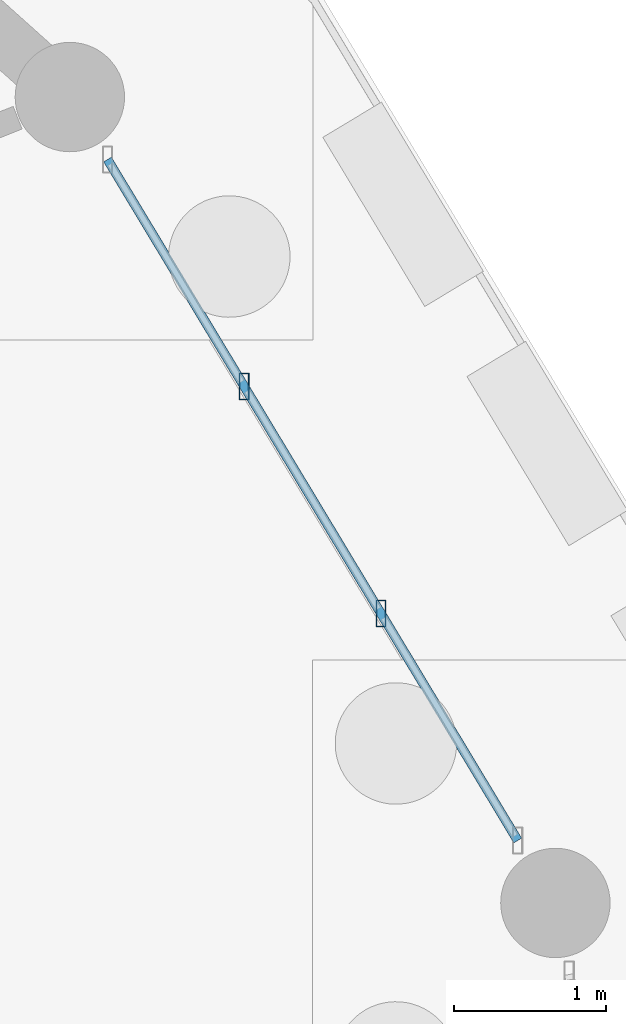
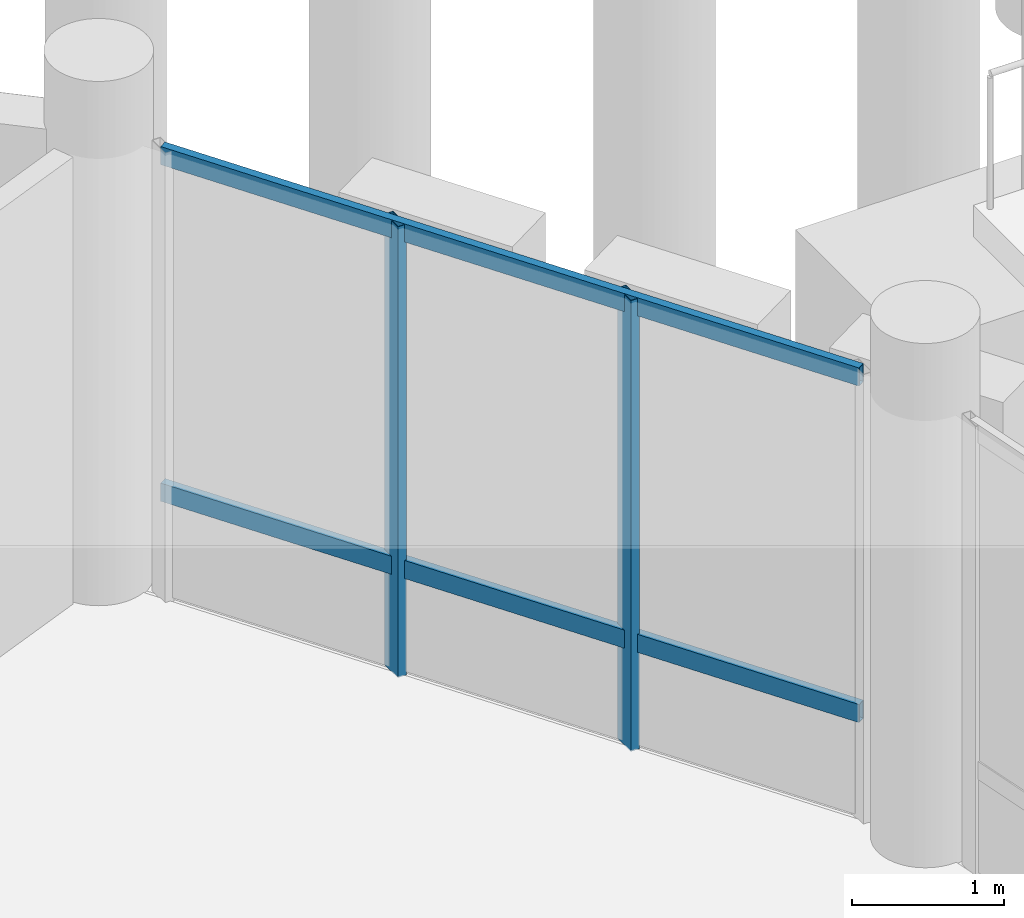
# One storey, part 41 of 98: 4 members, 1 element without a shape of its own.
"""IFC4 building model written with IfcOpenShell, lengths in metres."""

from ifc_helpers import new_model, si_unit, direction, frame, origin, origin_2d, place, context, subcontext, project, spatial, hollow_rectangle, extrude, material, material_profile, profile_set, type_object, element, aggregate, save


model = new_model("IFC4")

# Units and contexts
model_context = context("Model", 3, precision=1e-05, world=origin(), true_north=direction((0.0, 1.0)))
body_context = subcontext(model_context, "Body", "Model", "MODEL_VIEW")
ifc_project = project(units=[si_unit("LENGTHUNIT", "METRE"), si_unit("AREAUNIT", "SQUARE_METRE"), si_unit("VOLUMEUNIT", "CUBIC_METRE"), si_unit("PLANEANGLEUNIT", "RADIAN"), si_unit("MASSUNIT", "GRAM", prefix="KILO")], contexts=[model_context])

# Site, building, storey
site_placement = place(None, origin())
site = spatial("IfcSite", under=ifc_project, at=site_placement, CompositionType="ELEMENT")
building_placement = place(site_placement, origin())
building = spatial("IfcBuilding", under=site, at=building_placement, Name="Zornivar Specialist Clinic", CompositionType="ELEMENT")
storey_placement = place(building_placement, origin())
storey = spatial("IfcBuildingStorey", under=building, at=storey_placement, Name="L00", CompositionType="ELEMENT", Elevation=0.0)

# Curtain wall, members
ifc_material_1 = material(Name="Aluminium and Low-E Glass Curtain Wall", Category="aluminium")
curtain_wall_type = type_object("IfcCurtainWallType", Name="CW-DRUM-FACET", PredefinedType="NOTDEFINED", material=ifc_material_1)
curtain_wall_placement = place(storey_placement, origin())
curtain_wall = element("IfcCurtainWall", 1, at=curtain_wall_placement, inside=storey, type_object=curtain_wall_type, Name="cw:V1:L00:c01", PredefinedType="NOTDEFINED")
ifc_material_2 = material(Name="Aluminium AW-6060", Category="aluminium")
ifc_material_profile_1 = material_profile(ifc_material_2, hollow_rectangle(XDim=0.06494140625, YDim=0.175048828125, WallThickness=0.00439453125, at=origin_2d()), Name="ALU 65x175x4.5")
ifc_profile_set_1 = profile_set([ifc_material_profile_1], Name="Aluminium AW-6060")
member_type_1 = type_object("IfcMemberType", Name="CWM-MUL-175", PredefinedType="MULLION", material=ifc_profile_set_1)
member_1_placement = place(storey_placement, frame((123.362060546875, 65.199951171875, 0.0), z_axis=(0.0, 0.0, 1.0), x_axis=(1.0, 0.0, 0.0)))
member_1 = element("IfcMember", 2, at=member_1_placement, type_object=member_type_1, Name="cw:V1:L00:c01:mul:1", PredefinedType="MULLION", context=body_context, shape_type="SweptSolid", body=[
    extrude(hollow_rectangle(XDim=0.06494140625, YDim=0.175048828125, WallThickness=0.00439453125, at=origin_2d()), origin(), (0.0, 0.0, 1.0), 3.610107421875),
])
member_2_placement = place(storey_placement, frame((122.4609375, 66.695068359375, 0.0), z_axis=(0.0, 0.0, 1.0), x_axis=(1.0, 0.0, 0.0)))
member_2 = element("IfcMember", 3, at=member_2_placement, type_object=member_type_1, Name="cw:V1:L00:c01:mul:2", PredefinedType="MULLION", context=body_context, shape_type="SweptSolid", body=[
    extrude(hollow_rectangle(XDim=0.06494140625, YDim=0.175048828125, WallThickness=0.00439453125, at=origin_2d()), origin(), (0.0, 0.0, 1.0), 3.610107421875),
])
ifc_material_3 = material(Name="Aluminium AW-6060", Category="aluminium")
ifc_material_profile_2 = material_profile(ifc_material_3, hollow_rectangle(XDim=0.06005859375, YDim=0.14501953125, WallThickness=0.00390625, at=origin_2d()), Name="ALU 60x145x4")
ifc_profile_set_2 = profile_set([ifc_material_profile_2], Name="Aluminium AW-6060")
member_type_2 = type_object("IfcMemberType", Name="CWM-TRN-145", PredefinedType="USERDEFINED", material=ifc_profile_set_2)
member_3_placement = place(storey_placement, frame((124.261962890625, 63.705078125, 0.85009765625), z_axis=(-0.515983359641, 0.856598606451, 0.0), x_axis=(-0.856598606451, -0.515983359641, 0.0)))
member_3 = element("IfcMember", 4, at=member_3_placement, type_object=member_type_2, Name="cw:V1:L00:c01:trn:0", ObjectType="TRANSOM", PredefinedType="USERDEFINED", context=body_context, shape_type="SweptSolid", body=[
    extrude(hollow_rectangle(XDim=0.06005859375, YDim=0.14501953125, WallThickness=0.00390625, at=origin_2d()), origin(), (0.0, 0.0, 1.0), 5.234619140625),
])
member_4_placement = place(storey_placement, frame((124.261962890625, 63.705078125, 3.544921875), z_axis=(-0.515983359641, 0.856598606451, 0.0), x_axis=(-0.856598606451, -0.515983359641, 0.0)))
member_4 = element("IfcMember", 5, at=member_4_placement, type_object=member_type_2, Name="cw:V1:L00:c01:trn:1", ObjectType="TRANSOM", PredefinedType="USERDEFINED", context=body_context, shape_type="SweptSolid", body=[
    extrude(hollow_rectangle(XDim=0.06005859375, YDim=0.14501953125, WallThickness=0.00390625, at=origin_2d()), origin(), (0.0, 0.0, 1.0), 5.234619140625),
])
aggregate(curtain_wall, [member_1, member_2, member_3, member_4])

save(model, "model.ifc")
